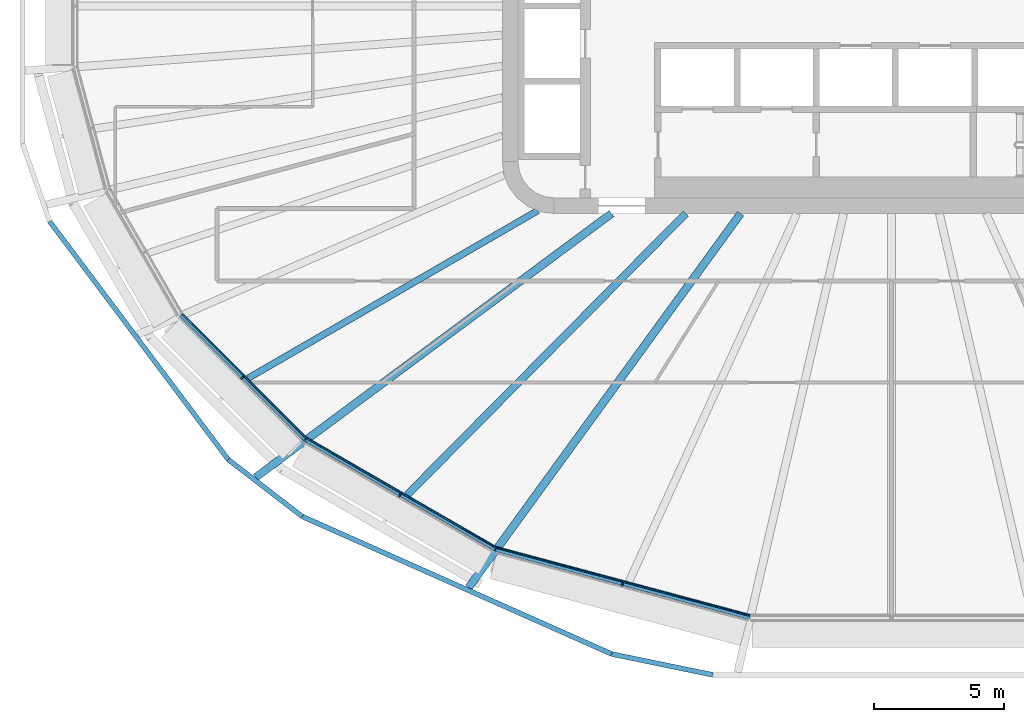
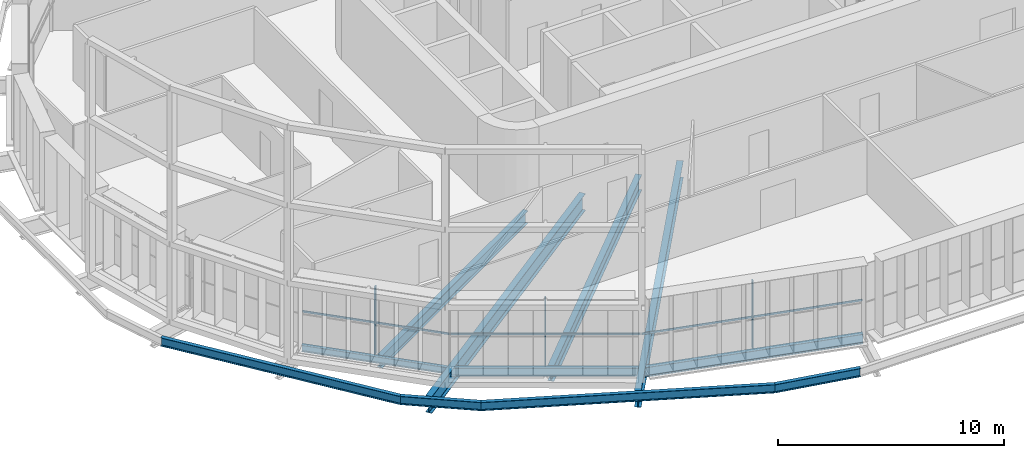
# One storey, part 1 of 25: 11 beams, 6 members, 3 elements without a shape of their own.
"""IFC4 building model written with IfcOpenShell, lengths in metres."""

import ifcopenshell
import ifcopenshell.guid

model = None  # the IFC model being written
_history = None  # IfcOwnerHistory: only IFC2X3 demands one
_inside = {}  # id of a spatial element -> (the spatial element, [elements in it])
_under = {}  # id of a project, library or spatial element -> (it, [spatial elements below it])
_declared = {}  # id of a project -> (the project, [libraries it declares])
_typed = {}  # id of a type object -> (the type object, [elements of that type])
_made_of = {}  # id of a material, layer set ... -> (it, [elements and type objects made of it])


def new_model(schema):
    """Start an empty IFC model of exactly this schema.

    Asked for "IFC4X3", IfcOpenShell would pick the latest addendum, in which some entities
    have other attributes; the version numbers below select the first issue.
    IFC2X3 requires an IfcOwnerHistory on every rooted entity: one is made here for all.
    """
    global model, _history
    if schema == "IFC4X3":
        model = ifcopenshell.file(schema_version=(4, 3, 0, 0))
    else:
        model = ifcopenshell.file(schema=schema)
    _inside.clear()
    _under.clear()
    _declared.clear()
    _typed.clear()
    _made_of.clear()
    _history = None
    if model.schema == "IFC2X3":
        org = make("IfcOrganization", Name="unknown")
        user = make(
            "IfcPersonAndOrganization",
            ThePerson=make("IfcPerson", FamilyName="unknown"),
            TheOrganization=org,
        )
        app = make(
            "IfcApplication",
            ApplicationDeveloper=org,
            Version="unknown",
            ApplicationFullName="unknown",
            ApplicationIdentifier="unknown",
        )
        _history = make(
            "IfcOwnerHistory",
            OwningUser=user,
            OwningApplication=app,
            ChangeAction="ADDED",
            CreationDate=0,
        )
    return model


def make(cls, **values):
    """One entity of the class cls with the attributes given. An attribute that is None is left unset."""
    return model.create_entity(
        cls, **{name: value for name, value in values.items() if value is not None}
    )


def rooted(cls, **values):
    """An entity with a GlobalId (a new one), such as an element, a storey or a relation."""
    return make(cls, GlobalId=ifcopenshell.guid.new(), OwnerHistory=_history, **values)


def si_unit(unit_type, name, prefix=None):
    """IfcSIUnit, for example si_unit("LENGTHUNIT", "METRE", prefix="MILLI")."""
    return make("IfcSIUnit", UnitType=unit_type, Prefix=prefix, Name=name)


def assignment(units):
    """IfcUnitAssignment: the units of a project."""
    return None if units is None else make("IfcUnitAssignment", Units=units)


def point(xyz):
    """IfcCartesianPoint."""
    return None if xyz is None else make("IfcCartesianPoint", Coordinates=xyz)


def direction(xyz):
    """IfcDirection."""
    return None if xyz is None else make("IfcDirection", DirectionRatios=xyz)


def frame(location, z_axis=None, x_axis=None):
    """IfcAxis2Placement3D, a coordinate frame: its origin and axes. An axis left out is left unset."""
    return make(
        "IfcAxis2Placement3D",
        Location=point(location),
        Axis=direction(z_axis),
        RefDirection=direction(x_axis),
    )


def frame_2d(location, x_axis=None):
    """IfcAxis2Placement2D, a coordinate frame in the plane: its origin and x axis."""
    return make(
        "IfcAxis2Placement2D", Location=point(location), RefDirection=direction(x_axis)
    )


def origin():
    """The frame at (0, 0, 0) with its axes left unset."""
    return frame((0.0, 0.0, 0.0))


def origin_2d():
    """The frame at (0, 0) in the plane with its x axis left unset."""
    return frame_2d((0.0, 0.0))


def place(relative_to, where):
    """IfcLocalPlacement: puts the frame where relative to a parent placement (None: the world)."""
    return make(
        "IfcLocalPlacement", PlacementRelTo=relative_to, RelativePlacement=where
    )


def context(
    kind, dimensions, precision=None, world=None, true_north=None, identifier=None
):
    """IfcGeometricRepresentationContext, for example the 3D "Model" context."""
    return make(
        "IfcGeometricRepresentationContext",
        ContextIdentifier=identifier,
        ContextType=kind,
        CoordinateSpaceDimension=dimensions,
        Precision=precision,
        WorldCoordinateSystem=world,
        TrueNorth=true_north,
    )


def subcontext(parent, identifier, kind, view, scale=None):
    """IfcGeometricRepresentationSubContext, for example "Body" below "Model"."""
    return make(
        "IfcGeometricRepresentationSubContext",
        ContextIdentifier=identifier,
        ContextType=kind,
        ParentContext=parent,
        TargetScale=scale,
        TargetView=view,
    )


def project(units=None, contexts=None):
    """IfcProject with its units and contexts."""
    return rooted(
        "IfcProject",
        Name="project",
        RepresentationContexts=contexts,
        UnitsInContext=assignment(units),
    )


def spatial(cls, under=None, at=None, **own):
    """A site, building, storey or space (cls), placed at a placement, below another one or the project."""
    s = rooted(cls, ObjectPlacement=at, **own)
    if under is not None:
        _under.setdefault(under.id(), (under, []))[1].append(s)
    return s


def profile(cls, at=None, kind="AREA", **sizes):
    """A parametric profile (cls). Its sizes go by their IFC names, for example OverallWidth=200.0."""
    return make(cls, ProfileType=kind, Position=at, **sizes)


def rectangle(**sizes):
    """IfcRectangleProfileDef."""
    return profile("IfcRectangleProfileDef", **sizes)


def i_section(**sizes):
    """IfcIShapeProfileDef."""
    return profile("IfcIShapeProfileDef", **sizes)


def extrude(swept, where, along, depth):
    """IfcExtrudedAreaSolid: the profile swept, set in the frame where, extruded along a direction by depth."""
    return make(
        "IfcExtrudedAreaSolid",
        SweptArea=swept,
        Position=where,
        ExtrudedDirection=direction(along),
        Depth=depth,
    )


def shape(context_of_items, identifier, shape_type, items):
    """IfcShapeRepresentation: the items that make up one representation, for example the "Body"."""
    return make(
        "IfcShapeRepresentation",
        ContextOfItems=context_of_items,
        RepresentationIdentifier=identifier,
        RepresentationType=shape_type,
        Items=items,
    )


def material(Name=None, Category=None):
    """IfcMaterial."""
    return make("IfcMaterial", Name=Name, Category=Category)


def layer(
    of_material, thickness, ventilated=None, Name=None, Category=None, Priority=None
):
    """IfcMaterialLayer: one layer of a wall or slab, of a material (None: an air gap)."""
    return make(
        "IfcMaterialLayer",
        Material=of_material,
        LayerThickness=thickness,
        IsVentilated=ventilated,
        Name=Name,
        Category=Category,
        Priority=Priority,
    )


def layer_set(layers, Name=None):
    """IfcMaterialLayerSet."""
    return make("IfcMaterialLayerSet", MaterialLayers=layers, LayerSetName=Name)


def material_profile(
    of_material, cross_section, Name=None, Category=None, Priority=None
):
    """IfcMaterialProfile: a cross section and its material."""
    return make(
        "IfcMaterialProfile",
        Name=Name,
        Material=of_material,
        Profile=cross_section,
        Priority=Priority,
        Category=Category,
    )


def profile_set(profiles, Name=None, composite=None):
    """IfcMaterialProfileSet."""
    return make(
        "IfcMaterialProfileSet",
        Name=Name,
        MaterialProfiles=profiles,
        CompositeProfile=composite,
    )


def made_of(thing, what):
    """Note that an element or type object is made of a material, layer set ...; save() writes the relation."""
    if what is not None:
        _made_of.setdefault(what.id(), (what, []))[1].append(thing)
    return thing


def type_object(cls, material=None, **own):
    """A type object (cls), such as IfcWallType, which elements share."""
    return made_of(rooted(cls, **own), material)


def element(
    cls,
    number,
    at=None,
    inside=None,
    cuts=None,
    type_object=None,
    material=None,
    context=None,
    identifier="Body",
    shape_type=None,
    held_by="IfcProductDefinitionShape",
    body=None,
    shapes=None,
    **own,
):
    """One element of the class cls, such as IfcWall. Its Tag is "e" and its number.

    at: its placement. inside: the storey or other place that contains it. cuts: it is an
    opening in that element (IfcRelVoidsElement). A single representation is given by context,
    identifier, shape_type and body (its items); several are given by shapes. held_by: the class
    of the entity that holds the representations. save() writes the other relations.
    """
    e = rooted(cls, Tag="e%d" % number, ObjectPlacement=at, **own)
    if body is not None:
        shapes = [shape(context, identifier, shape_type, body)]
    if shapes is not None:
        e.Representation = make(held_by, Representations=shapes)
    if inside is not None:
        _inside.setdefault(inside.id(), (inside, []))[1].append(e)
    if cuts is not None:
        rooted(
            "IfcRelVoidsElement", RelatingBuildingElement=cuts, RelatedOpeningElement=e
        )
    if type_object is not None:
        _typed.setdefault(type_object.id(), (type_object, []))[1].append(e)
    return made_of(e, material)


def aggregate(whole, parts):
    """IfcRelAggregates: a whole, such as a stair, and the parts it consists of."""
    return rooted("IfcRelAggregates", RelatingObject=whole, RelatedObjects=parts)


def save(model, path):
    """Write the relations noted so far, then the file.

    IfcRelAggregates (storeys below a building ...), IfcRelContainedInSpatialStructure (elements
    in a storey), IfcRelDefinesByType, IfcRelAssociatesMaterial and IfcRelDeclares: one each for
    every whole, place, type object, material and project.
    """
    for whole, parts in _under.values():
        aggregate(whole, parts)
    for where, things in _inside.values():
        rooted(
            "IfcRelContainedInSpatialStructure",
            RelatedElements=things,
            RelatingStructure=where,
        )
    for kind, things in _typed.values():
        rooted("IfcRelDefinesByType", RelatedObjects=things, RelatingType=kind)
    for what, things in _made_of.values():
        rooted("IfcRelAssociatesMaterial", RelatedObjects=things, RelatingMaterial=what)
    for by, libraries in _declared.values():
        rooted("IfcRelDeclares", RelatingContext=by, RelatedDefinitions=libraries)
    model.write(path)


model = new_model("IFC4")

# Units and contexts
model_context = context("Model", 3, precision=1e-05, world=origin(), true_north=direction((0.0, 1.0)))
body_context = subcontext(model_context, "Body", "Model", "MODEL_VIEW")
ifc_project = project(units=[si_unit("LENGTHUNIT", "METRE"), si_unit("AREAUNIT", "SQUARE_METRE"), si_unit("VOLUMEUNIT", "CUBIC_METRE"), si_unit("PLANEANGLEUNIT", "RADIAN"), si_unit("MASSUNIT", "GRAM", prefix="KILO")], contexts=[model_context])

# Site, building, storey
site_placement = place(None, origin())
site = spatial("IfcSite", under=ifc_project, at=site_placement, CompositionType="ELEMENT")
building_placement = place(site_placement, origin())
building = spatial("IfcBuilding", under=site, at=building_placement, Name="Sahrelin Media Tower", CompositionType="ELEMENT")
storey_placement = place(building_placement, frame((0.0, 0.0, 135.60009765625)))
storey = spatial("IfcBuildingStorey", under=building, at=storey_placement, Name="L27", CompositionType="ELEMENT", Elevation=135.60009765625)

# Beams
ifc_material_1 = material(Name="Steel S355", Category="steel")
ifc_material_profile_1 = material_profile(ifc_material_1, i_section(OverallWidth=0.17138671875, OverallDepth=0.35498046875, WebThickness=0.00732421875, FlangeThickness=0.011474609375, FilletRadius=0.01025390625, at=origin_2d()), Name="UB 356x171x51")
ifc_profile_set_1 = profile_set([ifc_material_profile_1], Name="Steel S355")
beam_type_1 = type_object("IfcBeamType", Name="Edge beam EB3", PredefinedType="BEAM", material=ifc_profile_set_1)
beam_1_placement = place(storey_placement, frame((-22.59033203125, -16.677978515625, -0.32763671875), z_axis=(-0.707106781187, 0.707106781187, 0.0), x_axis=(-0.707106781187, -0.707106781187, 0.0)))
element("IfcBeam", 1, at=beam_1_placement, inside=storey, type_object=beam_type_1, Name="Edge beam L27-10", PredefinedType="BEAM", context=body_context, shape_type="SweptSolid", body=[
    extrude(i_section(OverallWidth=0.17138671875, OverallDepth=0.35498046875, WebThickness=0.00732421875, FlangeThickness=0.011474609375, FilletRadius=0.01025390625, at=origin_2d()), origin(), (0.0, 0.0, 1.0), 6.751953125),
])
ifc_material_profile_2 = material_profile(ifc_material_1, i_section(OverallWidth=0.1904296875, OverallDepth=0.45703125, WebThickness=0.009033203125, FlangeThickness=0.014404296875, FilletRadius=0.01025390625, at=origin_2d()), Name="UB 457x191x74")
ifc_profile_set_2 = profile_set([ifc_material_profile_2], Name="Steel S355")
beam_type_2 = type_object("IfcBeamType", Name="Edge beam EB5", PredefinedType="BEAM", material=ifc_profile_set_2)
beam_2_placement = place(storey_placement, frame((-15.264404296875, -20.911865234375, -0.378662109375), z_axis=(-0.866028896434, 0.499993950504, 0.0), x_axis=(-0.499993950504, -0.866028896434, 0.0)))
element("IfcBeam", 2, at=beam_2_placement, inside=storey, type_object=beam_type_2, Name="Edge beam L27-09", PredefinedType="BEAM", context=body_context, shape_type="SweptSolid", body=[
    extrude(i_section(OverallWidth=0.1904296875, OverallDepth=0.45703125, WebThickness=0.009033203125, FlangeThickness=0.014404296875, FilletRadius=0.01025390625, at=origin_2d()), origin(), (0.0, 0.0, 1.0), 8.4326171875),
])
ifc_material_profile_3 = material_profile(ifc_material_1, i_section(OverallWidth=0.208740234375, OverallDepth=0.5283203125, WebThickness=0.009521484375, FlangeThickness=0.01318359375, FilletRadius=0.0126953125, at=origin_2d()), Name="UB 533x210x82")
ifc_profile_set_3 = profile_set([ifc_material_profile_3], Name="Steel S355")
beam_type_3 = type_object("IfcBeamType", Name="Edge beam EB6", PredefinedType="BEAM", material=ifc_profile_set_3)
beam_3_placement = place(storey_placement, frame((-5.46337890625, -23.5419921875, -0.414306640625), z_axis=(-0.96592349726, 0.258827737002, 0.0), x_axis=(-0.258827737002, -0.96592349726, 0.0)))
element("IfcBeam", 3, at=beam_3_placement, inside=storey, type_object=beam_type_3, Name="Edge beam L27-08", PredefinedType="BEAM", context=body_context, shape_type="SweptSolid", body=[
    extrude(i_section(OverallWidth=0.208740234375, OverallDepth=0.5283203125, WebThickness=0.009521484375, FlangeThickness=0.01318359375, FilletRadius=0.0126953125, at=origin_2d()), origin(), (0.0, 0.0, 1.0), 10.119140625),
])

# Curtain wall, member
ifc_material_2 = material(Name="Champagne anodised aluminium 6063-T6", Category="aluminium")
ifc_layer = layer(ifc_material_2, 0.14990234375)
ifc_layer_set = layer_set([ifc_layer], Name="Tower ribbon curtain wall")
curtain_wall_type = type_object("IfcCurtainWallType", Name="Tower ribbon curtain wall", PredefinedType="NOTDEFINED", material=ifc_layer_set)
curtain_wall_1_placement = place(storey_placement, frame((-25.08349609375, -14.39697265625, 0.0), z_axis=(0.0, 0.0, 1.0), x_axis=(1.0, 0.0, 0.0)))
curtain_wall_1 = element("IfcCurtainWall", 4, at=curtain_wall_1_placement, inside=storey, type_object=curtain_wall_type, Name="L27:CW:L27-15", PredefinedType="NOTDEFINED")
ifc_material_profile_4 = material_profile(ifc_material_2, rectangle(XDim=0.06005859375, YDim=0.14990234375, at=origin_2d()), Name="Mullion 60x150")
ifc_profile_set_4 = profile_set([ifc_material_profile_4], Name="Champagne anodised aluminium 6063-T6")
member_type_1 = type_object("IfcMemberType", Name="Mullion 60x150 CW1", PredefinedType="MULLION", material=ifc_profile_set_4)
member_1_placement = place(storey_placement, frame((-25.016357421875, -14.32958984375, 0.0), z_axis=(0.0, 0.0, 1.0), x_axis=(0.707106781187, -0.707106781187, 0.0)))
member_1 = element("IfcMember", 5, at=member_1_placement, type_object=member_type_1, Name="L27:CWM:L27-15", PredefinedType="MULLION", context=body_context, shape_type="SweptSolid", body=[
    extrude(rectangle(XDim=0.06005859375, YDim=0.14990234375, at=origin_2d()), origin(), (0.0, 0.0, 1.0), 3.6484375),
])

curtain_wall_2_placement = place(storey_placement, frame((-18.990966796875, -18.93359375, 0.0), z_axis=(0.0, 0.0, 1.0), x_axis=(1.0, 0.0, 0.0)))
curtain_wall_2 = element("IfcCurtainWall", 6, at=curtain_wall_2_placement, inside=storey, type_object=curtain_wall_type, Name="L27:CW:L27-16", PredefinedType="NOTDEFINED")
member_2_placement = place(storey_placement, frame((-18.943603515625, -18.851318359375, 0.0), z_axis=(0.0, 0.0, 1.0), x_axis=(0.866027149108, -0.499996976998, 0.0)))
member_2 = element("IfcMember", 7, at=member_2_placement, type_object=member_type_1, Name="L27:CWM:L27-16", PredefinedType="MULLION", context=body_context, shape_type="SweptSolid", body=[
    extrude(rectangle(XDim=0.06005859375, YDim=0.14990234375, at=origin_2d()), origin(), (0.0, 0.0, 1.0), 3.6484375),
])

curtain_wall_3_placement = place(storey_placement, frame((-10.389404296875, -22.377197265625, 0.0), z_axis=(0.0, 0.0, 1.0), x_axis=(1.0, 0.0, 0.0)))
curtain_wall_3 = element("IfcCurtainWall", 8, at=curtain_wall_3_placement, inside=storey, type_object=curtain_wall_type, Name="L27:CW:L27-17", PredefinedType="NOTDEFINED")
member_3_placement = place(storey_placement, frame((-10.364990234375, -22.285400390625, 0.0), z_axis=(0.0, 0.0, 1.0), x_axis=(0.965925826289, -0.258819045103, 0.0)))
member_3 = element("IfcMember", 9, at=member_3_placement, type_object=member_type_1, Name="L27:CWM:L27-17", PredefinedType="MULLION", context=body_context, shape_type="SweptSolid", body=[
    extrude(rectangle(XDim=0.06005859375, YDim=0.14990234375, at=origin_2d()), origin(), (0.0, 0.0, 1.0), 3.6484375),
])

# Beams
ifc_material_profile_5 = material_profile(ifc_material_1, i_section(OverallWidth=0.30322265625, OverallDepth=0.903076171875, WebThickness=0.01513671875, FlangeThickness=0.020263671875, FilletRadius=0.01904296875, at=origin_2d()), Name="UB 914x305x201")
ifc_profile_set_5 = profile_set([ifc_material_profile_5], Name="Steel S355")
beam_type_4 = type_object("IfcBeamType", Name="Radial primary beam PB11", PredefinedType="BEAM", material=ifc_profile_set_5)
beam_4_placement = place(storey_placement, frame((-10.791015625, -8.0, -0.6015625), z_axis=(-0.803316017069, -0.595553000766, 0.0), x_axis=(0.595553000766, -0.803316017069, 0.0)))
element("IfcBeam", 10, at=beam_4_placement, inside=storey, type_object=beam_type_4, Name="Radial beam L27-16", PredefinedType="BEAM", context=body_context, shape_type="SweptSolid", body=[
    extrude(i_section(OverallWidth=0.30322265625, OverallDepth=0.903076171875, WebThickness=0.01513671875, FlangeThickness=0.020263671875, FilletRadius=0.01904296875, at=origin_2d()), origin(), (0.0, 0.0, 1.0), 17.076416015625),
])
beam_5_placement = place(storey_placement, frame((-5.81591796875, -8.0, -0.6015625), z_axis=(-0.588024299574, -0.808843262388, 0.0), x_axis=(0.808843262388, -0.588024299574, 0.0)))
element("IfcBeam", 11, at=beam_5_placement, inside=storey, type_object=beam_type_4, Name="Radial beam L27-17", PredefinedType="BEAM", context=body_context, shape_type="SweptSolid", body=[
    extrude(i_section(OverallWidth=0.30322265625, OverallDepth=0.903076171875, WebThickness=0.01513671875, FlangeThickness=0.020263671875, FilletRadius=0.01904296875, at=origin_2d()), origin(), (0.0, 0.0, 1.0), 17.826904296875),
])
ifc_material_profile_6 = material_profile(ifc_material_1, i_section(OverallWidth=0.291748046875, OverallDepth=0.8349609375, WebThickness=0.013916015625, FlangeThickness=0.018798828125, FilletRadius=0.017822265625, at=origin_2d()), Name="UB 838x292x176")
ifc_profile_set_6 = profile_set([ifc_material_profile_6], Name="Steel S355")
beam_type_5 = type_object("IfcBeamType", Name="Radial secondary beam SB10", PredefinedType="BEAM", material=ifc_profile_set_6)
beam_6_placement = place(storey_placement, frame((-7.92578125, -8.0, -0.567626953125), z_axis=(-0.703794822352, -0.710403299563, 0.0), x_axis=(0.710403299563, -0.703794822352, 0.0)))
element("IfcBeam", 12, at=beam_6_placement, inside=storey, type_object=beam_type_5, Name="Secondary beam L27-16", PredefinedType="BEAM", context=body_context, shape_type="SweptSolid", body=[
    extrude(i_section(OverallWidth=0.291748046875, OverallDepth=0.8349609375, WebThickness=0.013916015625, FlangeThickness=0.018798828125, FilletRadius=0.017822265625, at=origin_2d()), origin(), (0.0, 0.0, 1.0), 15.257568359375),
])
ifc_material_profile_7 = material_profile(ifc_material_1, i_section(OverallWidth=0.2529296875, OverallDepth=0.677978515625, WebThickness=0.01171875, FlangeThickness=0.01611328125, FilletRadius=0.01513671875, at=origin_2d()), Name="UB 686x254x125")
ifc_profile_set_7 = profile_set([ifc_material_profile_7], Name="Steel S355")
beam_type_6 = type_object("IfcBeamType", Name="Radial secondary beam SB8", PredefinedType="BEAM", material=ifc_profile_set_7)
beam_7_placement = place(storey_placement, frame((-13.62939453125, -7.885498046875, -0.489013671875), z_axis=(-0.865569164292, -0.500789398676, 0.0), x_axis=(0.500789398676, -0.865569164292, 0.0)))
element("IfcBeam", 13, at=beam_7_placement, inside=storey, type_object=beam_type_6, Name="Secondary beam L27-15", PredefinedType="BEAM", context=body_context, shape_type="SweptSolid", body=[
    extrude(i_section(OverallWidth=0.2529296875, OverallDepth=0.677978515625, WebThickness=0.01171875, FlangeThickness=0.01611328125, FilletRadius=0.01513671875, at=origin_2d()), origin(), (0.0, 0.0, 1.0), 12.904541015625),
])
ifc_material_profile_8 = material_profile(ifc_material_1, i_section(OverallWidth=0.1904296875, OverallDepth=0.45703125, WebThickness=0.009033203125, FlangeThickness=0.014404296875, FilletRadius=0.01025390625, at=origin_2d()), Name="UB 457x191x74")
ifc_profile_set_8 = profile_set([ifc_material_profile_8], Name="Steel S355")
beam_type_7 = type_object("IfcBeamType", Name="Tie chord TC5", PredefinedType="BEAM", material=ifc_profile_set_8)
beam_8_placement = place(storey_placement, frame((-32.4482421875, -8.2978515625, -0.378662109375), z_axis=(0.600040835685, -0.799969371608, 0.0), x_axis=(0.799969371608, 0.600040835685, 0.0)))
element("IfcBeam", 14, at=beam_8_placement, inside=storey, type_object=beam_type_7, Name="Tie chord L27-14", PredefinedType="BEAM", context=body_context, shape_type="SweptSolid", body=[
    extrude(i_section(OverallWidth=0.1904296875, OverallDepth=0.45703125, WebThickness=0.009033203125, FlangeThickness=0.014404296875, FilletRadius=0.01025390625, at=origin_2d()), origin(), (0.0, 0.0, 1.0), 11.478759765625),
])
beam_9_placement = place(storey_placement, frame((-25.560546875, -17.48046875, -0.378662109375), z_axis=(0.792467490374, -0.609914155189, 0.0), x_axis=(0.609914155189, 0.792467490374, 0.0)))
element("IfcBeam", 15, at=beam_9_placement, inside=storey, type_object=beam_type_7, Name="Tie chord L27-15", PredefinedType="BEAM", context=body_context, shape_type="SweptSolid", body=[
    extrude(i_section(OverallWidth=0.1904296875, OverallDepth=0.45703125, WebThickness=0.009033203125, FlangeThickness=0.014404296875, FilletRadius=0.01025390625, at=origin_2d()), origin(), (0.0, 0.0, 1.0), 3.59619140625),
])
beam_10_placement = place(storey_placement, frame((-22.710693359375, -19.673828125, -0.378662109375), z_axis=(0.913830827108, -0.406095086681, 0.0), x_axis=(0.406095086681, 0.913830827108, 0.0)))
element("IfcBeam", 16, at=beam_10_placement, inside=storey, type_object=beam_type_7, Name="Tie chord L27-16", PredefinedType="BEAM", context=body_context, shape_type="SweptSolid", body=[
    extrude(i_section(OverallWidth=0.1904296875, OverallDepth=0.45703125, WebThickness=0.009033203125, FlangeThickness=0.014404296875, FilletRadius=0.01025390625, at=origin_2d()), origin(), (0.0, 0.0, 1.0), 13.054931640625),
])
beam_11_placement = place(storey_placement, frame((-10.78076171875, -24.975341796875, -0.378662109375), z_axis=(0.979384194354, -0.202006435171, 0.0), x_axis=(0.202006435171, 0.979384194354, 0.0)))
element("IfcBeam", 17, at=beam_11_placement, inside=storey, type_object=beam_type_7, Name="Tie chord L27-17", PredefinedType="BEAM", context=body_context, shape_type="SweptSolid", body=[
    extrude(i_section(OverallWidth=0.1904296875, OverallDepth=0.45703125, WebThickness=0.009033203125, FlangeThickness=0.014404296875, FilletRadius=0.01025390625, at=origin_2d()), origin(), (0.0, 0.0, 1.0), 3.97509765625),
])

# Member
ifc_material_profile_9 = material_profile(ifc_material_2, rectangle(XDim=0.050048828125, YDim=0.10009765625, at=origin_2d()), Name="Transom 50x100")
ifc_profile_set_9 = profile_set([ifc_material_profile_9], Name="Champagne anodised aluminium 6063-T6")
member_type_2 = type_object("IfcMemberType", Name="Transom 50x100 CW1", PredefinedType="USERDEFINED", material=ifc_profile_set_9)
member_4_placement = place(storey_placement, frame((-27.32177734375, -11.8828125, 1.599853515625), z_axis=(0.707106781187, -0.707106781187, 0.0), x_axis=(0.707106781187, 0.707106781187, 0.0)))
member_4 = element("IfcMember", 18, at=member_4_placement, type_object=member_type_2, Name="L27:CWT:L27-15", ObjectType="TRANSOM", PredefinedType="USERDEFINED", context=body_context, shape_type="SweptSolid", body=[
    extrude(rectangle(XDim=0.050048828125, YDim=0.10009765625, at=origin_2d()), origin(), (0.0, 0.0, 1.0), 6.720703125),
])

aggregate(curtain_wall_1, [member_1, member_4])

member_5_placement = place(storey_placement, frame((-22.53125, -16.664306640625, 1.599853515625), z_axis=(0.866020563817, -0.500008382975, 0.0), x_axis=(0.500008382975, 0.866020563817, 0.0)))
member_5 = element("IfcMember", 19, at=member_5_placement, type_object=member_type_2, Name="L27:CWT:L27-16", ObjectType="TRANSOM", PredefinedType="USERDEFINED", context=body_context, shape_type="SweptSolid", body=[
    extrude(rectangle(XDim=0.050048828125, YDim=0.10009765625, at=origin_2d()), origin(), (0.0, 0.0, 1.0), 8.401123046875),
])

aggregate(curtain_wall_2, [member_2, member_5])

member_6_placement = place(storey_placement, frame((-15.2109375, -20.883544921875, 1.599853515625), z_axis=(0.965928174808, -0.258810280151, 0.0), x_axis=(0.258810280151, 0.965928174808, 0.0)))
member_6 = element("IfcMember", 20, at=member_6_placement, type_object=member_type_2, Name="L27:CWT:L27-17", ObjectType="TRANSOM", PredefinedType="USERDEFINED", context=body_context, shape_type="SweptSolid", body=[
    extrude(rectangle(XDim=0.050048828125, YDim=0.10009765625, at=origin_2d()), origin(), (0.0, 0.0, 1.0), 10.087890625),
])

aggregate(curtain_wall_3, [member_3, member_6])

save(model, "model.ifc")
